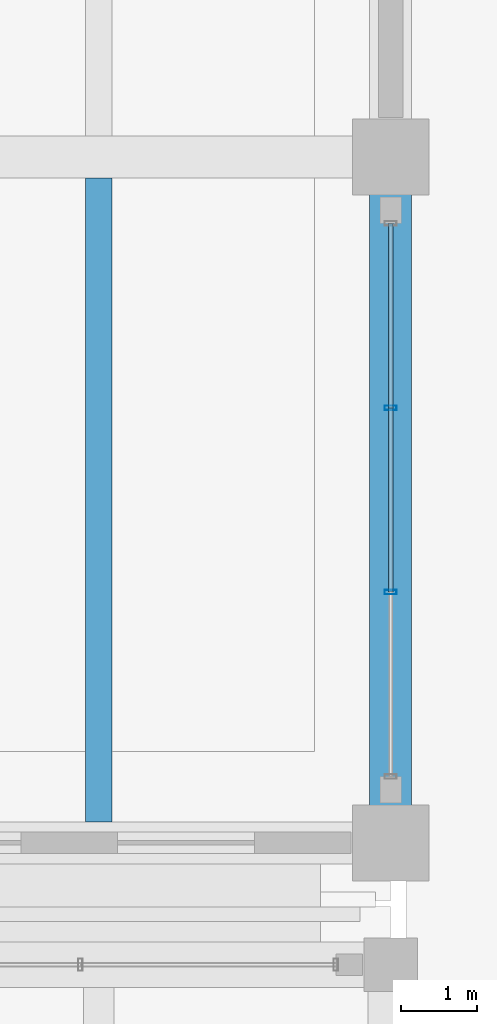
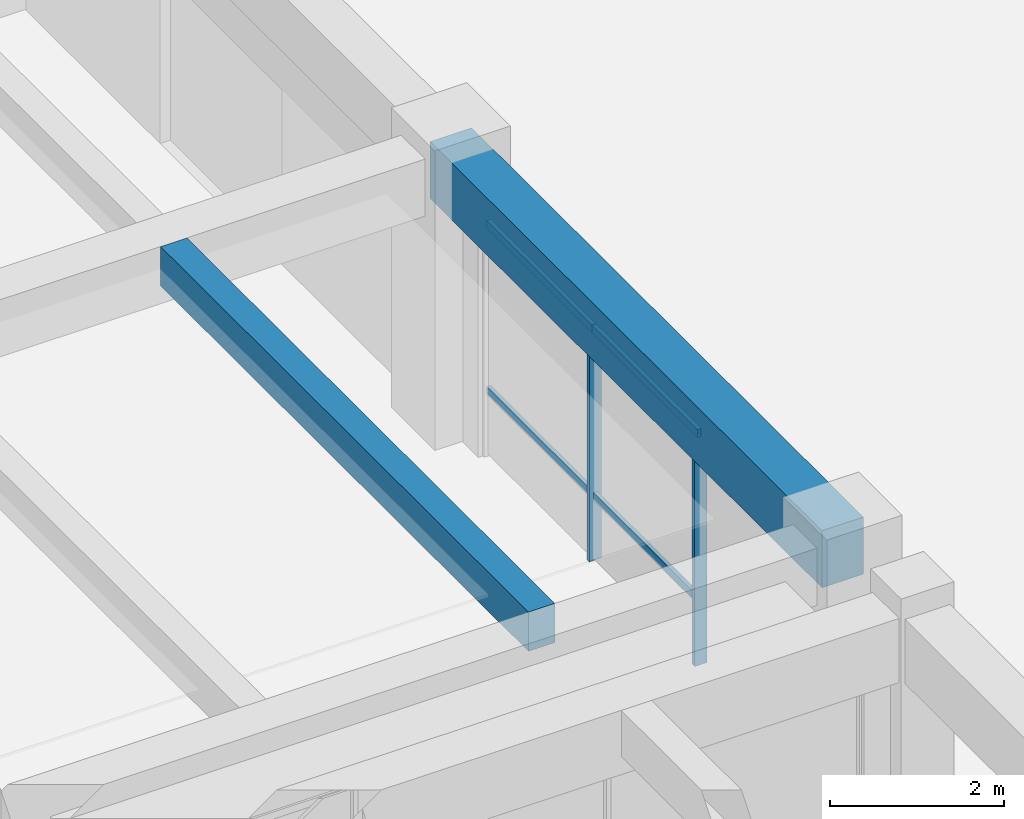
# One storey, part 42 of 109: 6 members, 2 beams, 1 element without a shape of its own.
"""IFC4 building model written with IfcOpenShell, lengths in metres."""

from ifc_helpers import new_model, si_unit, direction, frame, origin, origin_2d, place, context, subcontext, project, spatial, rectangle, hollow_rectangle, extrude, material, material_profile, profile_set, type_object, element, aggregate, save


model = new_model("IFC4")

# Units and contexts
model_context = context("Model", 3, precision=1e-05, world=origin(), true_north=direction((0.0, 1.0)))
body_context = subcontext(model_context, "Body", "Model", "MODEL_VIEW")
ifc_project = project(units=[si_unit("LENGTHUNIT", "METRE"), si_unit("AREAUNIT", "SQUARE_METRE"), si_unit("VOLUMEUNIT", "CUBIC_METRE"), si_unit("PLANEANGLEUNIT", "RADIAN"), si_unit("MASSUNIT", "GRAM", prefix="KILO")], contexts=[model_context])

# Site, building, storey
site_placement = place(None, origin())
site = spatial("IfcSite", under=ifc_project, at=site_placement, CompositionType="ELEMENT")
building_placement = place(site_placement, origin())
building = spatial("IfcBuilding", under=site, at=building_placement, Name="Ologun Quay Terminus", CompositionType="ELEMENT")
storey_placement = place(building_placement, origin())
storey = spatial("IfcBuildingStorey", under=building, at=storey_placement, Name="L00", CompositionType="ELEMENT", Elevation=0.0)

# Curtain wall, members
ifc_material_1 = material(Name="Aluminium 6063-T6", Category="aluminium")
curtain_wall_type = type_object("IfcCurtainWallType", Name="Rain-Garden West Courtyard Curtain Wall L00 8200x3750", PredefinedType="USERDEFINED", material=ifc_material_1)
curtain_wall_placement = place(storey_placement, origin())
curtain_wall = element("IfcCurtainWall", 1, at=curtain_wall_placement, inside=storey, type_object=curtain_wall_type, Name="CW-13 Curtain Wall CW-L00-094", ObjectType="UNITISED CURTAIN WALL", PredefinedType="USERDEFINED")
ifc_material_2 = material(Name="Aluminium 6063-T6", Category="aluminium")
ifc_material_profile_1 = material_profile(ifc_material_2, hollow_rectangle(XDim=0.06005859375, YDim=0.159912109375, WallThickness=0.00390625, at=origin_2d()), Name="ALU 160x60x4")
ifc_profile_set_1 = profile_set([ifc_material_profile_1], Name="Aluminium 6063-T6")
member_type_1 = type_object("IfcMemberType", Name="Courtyard Screen Mullion 160x65", PredefinedType="MULLION", material=ifc_profile_set_1)
member_1_placement = place(storey_placement, frame((69.0, 89.090087890625, 0.0), z_axis=(0.0, 0.0, 1.0), x_axis=(0.0, 1.0, 0.0)))
member_1 = element("IfcMember", 2, at=member_1_placement, type_object=member_type_1, Name="CW-L00-094 Mullion 2", PredefinedType="MULLION", context=body_context, shape_type="SweptSolid", body=[
    extrude(hollow_rectangle(XDim=0.06005859375, YDim=0.159912109375, WallThickness=0.00390625, at=origin_2d()), origin(), (0.0, 0.0, 1.0), 3.929931640625),
])
member_2_placement = place(storey_placement, frame((69.0, 91.510009765625, 0.0), z_axis=(0.0, 0.0, 1.0), x_axis=(0.0, 1.0, 0.0)))
member_2 = element("IfcMember", 3, at=member_2_placement, type_object=member_type_1, Name="CW-L00-094 Mullion 3", PredefinedType="MULLION", context=body_context, shape_type="SweptSolid", body=[
    extrude(hollow_rectangle(XDim=0.06005859375, YDim=0.159912109375, WallThickness=0.00390625, at=origin_2d()), origin(), (0.0, 0.0, 1.0), 3.929931640625),
])
ifc_material_3 = material(Name="Aluminium 6063-T6", Category="aluminium")
ifc_material_profile_2 = material_profile(ifc_material_3, hollow_rectangle(XDim=0.054931640625, YDim=0.110107421875, WallThickness=0.00390625, at=origin_2d()), Name="ALU 110x55x4")
ifc_profile_set_2 = profile_set([ifc_material_profile_2], Name="Aluminium 6063-T6")
member_type_2 = type_object("IfcMemberType", Name="Courtyard Screen Transom 110x55", PredefinedType="USERDEFINED", material=ifc_profile_set_2)
member_3_placement = place(storey_placement, frame((69.0, 89.090087890625, 0.89990234375), z_axis=(0.0, 1.0, 0.0), x_axis=(-1.0, 0.0, 0.0)))
member_3 = element("IfcMember", 4, at=member_3_placement, type_object=member_type_2, Name="CW-L00-094 Transom B2-1", ObjectType="TRANSOM", PredefinedType="USERDEFINED", context=body_context, shape_type="SweptSolid", body=[
    extrude(hollow_rectangle(XDim=0.054931640625, YDim=0.110107421875, WallThickness=0.00390625, at=origin_2d()), origin(), (0.0, 0.0, 1.0), 2.419921875),
])
member_4_placement = place(storey_placement, frame((69.0, 89.090087890625, 3.22998046875), z_axis=(0.0, 1.0, 0.0), x_axis=(-1.0, 0.0, 0.0)))
member_4 = element("IfcMember", 5, at=member_4_placement, type_object=member_type_2, Name="CW-L00-094 Transom B2-2", ObjectType="TRANSOM", PredefinedType="USERDEFINED", context=body_context, shape_type="SweptSolid", body=[
    extrude(hollow_rectangle(XDim=0.054931640625, YDim=0.110107421875, WallThickness=0.00390625, at=origin_2d()), origin(), (0.0, 0.0, 1.0), 2.419921875),
])
member_5_placement = place(storey_placement, frame((69.0, 91.510009765625, 0.89990234375), z_axis=(0.0, 1.0, 0.0), x_axis=(-1.0, 0.0, 0.0)))
member_5 = element("IfcMember", 6, at=member_5_placement, type_object=member_type_2, Name="CW-L00-094 Transom B3-1", ObjectType="TRANSOM", PredefinedType="USERDEFINED", context=body_context, shape_type="SweptSolid", body=[
    extrude(hollow_rectangle(XDim=0.054931640625, YDim=0.110107421875, WallThickness=0.00390625, at=origin_2d()), origin(), (0.0, 0.0, 1.0), 2.419921875),
])
member_6_placement = place(storey_placement, frame((69.0, 91.510009765625, 3.22998046875), z_axis=(0.0, 1.0, 0.0), x_axis=(-1.0, 0.0, 0.0)))
member_6 = element("IfcMember", 7, at=member_6_placement, type_object=member_type_2, Name="CW-L00-094 Transom B3-2", ObjectType="TRANSOM", PredefinedType="USERDEFINED", context=body_context, shape_type="SweptSolid", body=[
    extrude(hollow_rectangle(XDim=0.054931640625, YDim=0.110107421875, WallThickness=0.00390625, at=origin_2d()), origin(), (0.0, 0.0, 1.0), 2.419921875),
])
aggregate(curtain_wall, [member_1, member_2, member_3, member_4, member_5, member_6])

# Beams
ifc_material_4 = material(Name="Concrete C40/50", Category="concrete")
ifc_material_profile_3 = material_profile(ifc_material_4, rectangle(XDim=0.550048828125, YDim=0.800048828125, at=origin_2d()), Name="RC 550x800")
ifc_profile_set_3 = profile_set([ifc_material_profile_3], Name="Concrete C40/50")
beam_type_1 = type_object("IfcBeamType", Name="Courtyard Wing Primary Girder 550x800", PredefinedType="BEAM", material=ifc_profile_set_3)
beam_1_placement = place(storey_placement, frame((69.0, 85.800048828125, 3.550048828125), z_axis=(0.0, 1.0, 0.0), x_axis=(-1.0, 0.0, 0.0)))
element("IfcBeam", 8, at=beam_1_placement, inside=storey, type_object=beam_type_1, Name="B4 Beam 7/G2 L00", PredefinedType="BEAM", context=body_context, shape_type="SweptSolid", body=[
    extrude(rectangle(XDim=0.550048828125, YDim=0.800048828125, at=origin_2d()), origin(), (0.0, 0.0, 1.0), 9.0),
])
ifc_material_5 = material(Name="Concrete C40/50", Category="concrete")
ifc_material_profile_4 = material_profile(ifc_material_5, rectangle(XDim=0.35009765625, YDim=0.550048828125, at=origin_2d()), Name="RC 350x550")
ifc_profile_set_4 = profile_set([ifc_material_profile_4], Name="Concrete C40/50")
beam_type_2 = type_object("IfcBeamType", Name="Courtyard Wing Secondary Joist 350x550", PredefinedType="JOIST", material=ifc_profile_set_4)
beam_2_placement = place(storey_placement, frame((65.166748046875, 86.074951171875, 3.675048828125), z_axis=(0.0, 1.0, 0.0), x_axis=(-1.0, 0.0, 0.0)))
element("IfcBeam", 9, at=beam_2_placement, inside=storey, type_object=beam_type_2, Name="J2 Beam 6/G2 L00", PredefinedType="JOIST", context=body_context, shape_type="SweptSolid", body=[
    extrude(rectangle(XDim=0.35009765625, YDim=0.550048828125, at=origin_2d()), origin(), (0.0, 0.0, 1.0), 8.449951171875),
])

save(model, "model.ifc")
